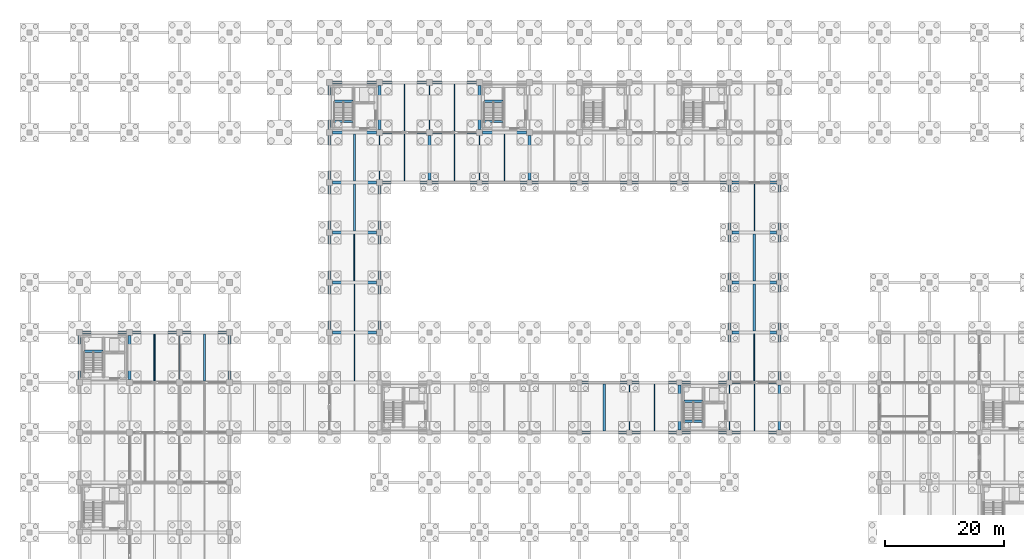
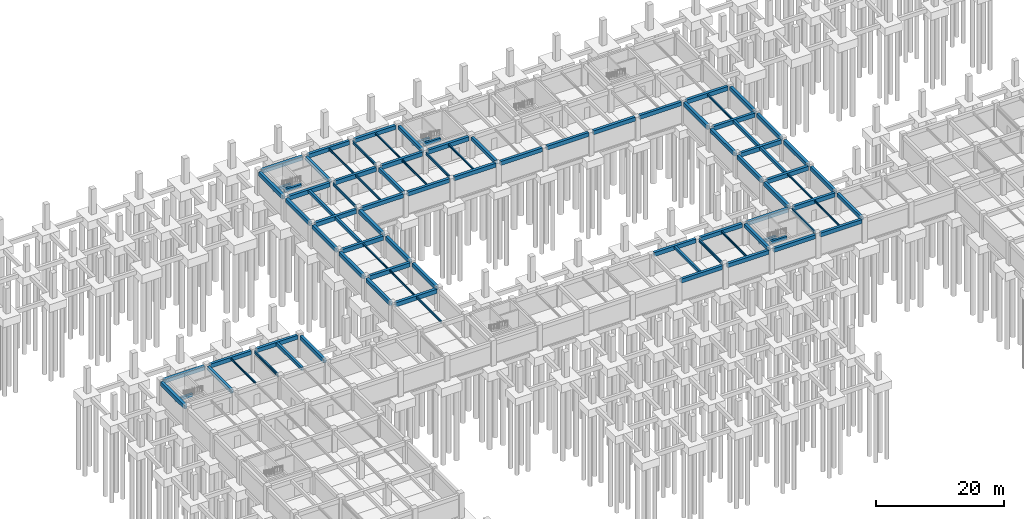
# One storey, part 14 of 29: 90 beams.
"""IFC4 building model written with IfcOpenShell, lengths in metres."""

import ifcopenshell
import ifcopenshell.guid

model = None  # the IFC model being written
_history = None  # IfcOwnerHistory: only IFC2X3 demands one
_inside = {}  # id of a spatial element -> (the spatial element, [elements in it])
_under = {}  # id of a project, library or spatial element -> (it, [spatial elements below it])
_declared = {}  # id of a project -> (the project, [libraries it declares])
_typed = {}  # id of a type object -> (the type object, [elements of that type])
_made_of = {}  # id of a material, layer set ... -> (it, [elements and type objects made of it])


def new_model(schema):
    """Start an empty IFC model of exactly this schema.

    Asked for "IFC4X3", IfcOpenShell would pick the latest addendum, in which some entities
    have other attributes; the version numbers below select the first issue.
    IFC2X3 requires an IfcOwnerHistory on every rooted entity: one is made here for all.
    """
    global model, _history
    if schema == "IFC4X3":
        model = ifcopenshell.file(schema_version=(4, 3, 0, 0))
    else:
        model = ifcopenshell.file(schema=schema)
    _inside.clear()
    _under.clear()
    _declared.clear()
    _typed.clear()
    _made_of.clear()
    _history = None
    if model.schema == "IFC2X3":
        org = make("IfcOrganization", Name="unknown")
        user = make(
            "IfcPersonAndOrganization",
            ThePerson=make("IfcPerson", FamilyName="unknown"),
            TheOrganization=org,
        )
        app = make(
            "IfcApplication",
            ApplicationDeveloper=org,
            Version="unknown",
            ApplicationFullName="unknown",
            ApplicationIdentifier="unknown",
        )
        _history = make(
            "IfcOwnerHistory",
            OwningUser=user,
            OwningApplication=app,
            ChangeAction="ADDED",
            CreationDate=0,
        )
    return model


def make(cls, **values):
    """One entity of the class cls with the attributes given. An attribute that is None is left unset."""
    return model.create_entity(
        cls, **{name: value for name, value in values.items() if value is not None}
    )


def rooted(cls, **values):
    """An entity with a GlobalId (a new one), such as an element, a storey or a relation."""
    return make(cls, GlobalId=ifcopenshell.guid.new(), OwnerHistory=_history, **values)


def si_unit(unit_type, name, prefix=None):
    """IfcSIUnit, for example si_unit("LENGTHUNIT", "METRE", prefix="MILLI")."""
    return make("IfcSIUnit", UnitType=unit_type, Prefix=prefix, Name=name)


def assignment(units):
    """IfcUnitAssignment: the units of a project."""
    return None if units is None else make("IfcUnitAssignment", Units=units)


def point(xyz):
    """IfcCartesianPoint."""
    return None if xyz is None else make("IfcCartesianPoint", Coordinates=xyz)


def direction(xyz):
    """IfcDirection."""
    return None if xyz is None else make("IfcDirection", DirectionRatios=xyz)


def frame(location, z_axis=None, x_axis=None):
    """IfcAxis2Placement3D, a coordinate frame: its origin and axes. An axis left out is left unset."""
    return make(
        "IfcAxis2Placement3D",
        Location=point(location),
        Axis=direction(z_axis),
        RefDirection=direction(x_axis),
    )


def frame_2d(location, x_axis=None):
    """IfcAxis2Placement2D, a coordinate frame in the plane: its origin and x axis."""
    return make(
        "IfcAxis2Placement2D", Location=point(location), RefDirection=direction(x_axis)
    )


def origin():
    """The frame at (0, 0, 0) with its axes left unset."""
    return frame((0.0, 0.0, 0.0))


def origin_2d():
    """The frame at (0, 0) in the plane with its x axis left unset."""
    return frame_2d((0.0, 0.0))


def place(relative_to, where):
    """IfcLocalPlacement: puts the frame where relative to a parent placement (None: the world)."""
    return make(
        "IfcLocalPlacement", PlacementRelTo=relative_to, RelativePlacement=where
    )


def context(
    kind, dimensions, precision=None, world=None, true_north=None, identifier=None
):
    """IfcGeometricRepresentationContext, for example the 3D "Model" context."""
    return make(
        "IfcGeometricRepresentationContext",
        ContextIdentifier=identifier,
        ContextType=kind,
        CoordinateSpaceDimension=dimensions,
        Precision=precision,
        WorldCoordinateSystem=world,
        TrueNorth=true_north,
    )


def subcontext(parent, identifier, kind, view, scale=None):
    """IfcGeometricRepresentationSubContext, for example "Body" below "Model"."""
    return make(
        "IfcGeometricRepresentationSubContext",
        ContextIdentifier=identifier,
        ContextType=kind,
        ParentContext=parent,
        TargetScale=scale,
        TargetView=view,
    )


def project(units=None, contexts=None):
    """IfcProject with its units and contexts."""
    return rooted(
        "IfcProject",
        Name="project",
        RepresentationContexts=contexts,
        UnitsInContext=assignment(units),
    )


def spatial(cls, under=None, at=None, **own):
    """A site, building, storey or space (cls), placed at a placement, below another one or the project."""
    s = rooted(cls, ObjectPlacement=at, **own)
    if under is not None:
        _under.setdefault(under.id(), (under, []))[1].append(s)
    return s


def profile(cls, at=None, kind="AREA", **sizes):
    """A parametric profile (cls). Its sizes go by their IFC names, for example OverallWidth=200.0."""
    return make(cls, ProfileType=kind, Position=at, **sizes)


def rectangle(**sizes):
    """IfcRectangleProfileDef."""
    return profile("IfcRectangleProfileDef", **sizes)


def i_section(**sizes):
    """IfcIShapeProfileDef."""
    return profile("IfcIShapeProfileDef", **sizes)


def extrude(swept, where, along, depth):
    """IfcExtrudedAreaSolid: the profile swept, set in the frame where, extruded along a direction by depth."""
    return make(
        "IfcExtrudedAreaSolid",
        SweptArea=swept,
        Position=where,
        ExtrudedDirection=direction(along),
        Depth=depth,
    )


def shape(context_of_items, identifier, shape_type, items):
    """IfcShapeRepresentation: the items that make up one representation, for example the "Body"."""
    return make(
        "IfcShapeRepresentation",
        ContextOfItems=context_of_items,
        RepresentationIdentifier=identifier,
        RepresentationType=shape_type,
        Items=items,
    )


def material(Name=None, Category=None):
    """IfcMaterial."""
    return make("IfcMaterial", Name=Name, Category=Category)


def material_profile(
    of_material, cross_section, Name=None, Category=None, Priority=None
):
    """IfcMaterialProfile: a cross section and its material."""
    return make(
        "IfcMaterialProfile",
        Name=Name,
        Material=of_material,
        Profile=cross_section,
        Priority=Priority,
        Category=Category,
    )


def profile_set(profiles, Name=None, composite=None):
    """IfcMaterialProfileSet."""
    return make(
        "IfcMaterialProfileSet",
        Name=Name,
        MaterialProfiles=profiles,
        CompositeProfile=composite,
    )


def made_of(thing, what):
    """Note that an element or type object is made of a material, layer set ...; save() writes the relation."""
    if what is not None:
        _made_of.setdefault(what.id(), (what, []))[1].append(thing)
    return thing


def type_object(cls, material=None, **own):
    """A type object (cls), such as IfcWallType, which elements share."""
    return made_of(rooted(cls, **own), material)


def element(
    cls,
    number,
    at=None,
    inside=None,
    cuts=None,
    type_object=None,
    material=None,
    context=None,
    identifier="Body",
    shape_type=None,
    held_by="IfcProductDefinitionShape",
    body=None,
    shapes=None,
    **own,
):
    """One element of the class cls, such as IfcWall. Its Tag is "e" and its number.

    at: its placement. inside: the storey or other place that contains it. cuts: it is an
    opening in that element (IfcRelVoidsElement). A single representation is given by context,
    identifier, shape_type and body (its items); several are given by shapes. held_by: the class
    of the entity that holds the representations. save() writes the other relations.
    """
    e = rooted(cls, Tag="e%d" % number, ObjectPlacement=at, **own)
    if body is not None:
        shapes = [shape(context, identifier, shape_type, body)]
    if shapes is not None:
        e.Representation = make(held_by, Representations=shapes)
    if inside is not None:
        _inside.setdefault(inside.id(), (inside, []))[1].append(e)
    if cuts is not None:
        rooted(
            "IfcRelVoidsElement", RelatingBuildingElement=cuts, RelatedOpeningElement=e
        )
    if type_object is not None:
        _typed.setdefault(type_object.id(), (type_object, []))[1].append(e)
    return made_of(e, material)


def aggregate(whole, parts):
    """IfcRelAggregates: a whole, such as a stair, and the parts it consists of."""
    return rooted("IfcRelAggregates", RelatingObject=whole, RelatedObjects=parts)


def save(model, path):
    """Write the relations noted so far, then the file.

    IfcRelAggregates (storeys below a building ...), IfcRelContainedInSpatialStructure (elements
    in a storey), IfcRelDefinesByType, IfcRelAssociatesMaterial and IfcRelDeclares: one each for
    every whole, place, type object, material and project.
    """
    for whole, parts in _under.values():
        aggregate(whole, parts)
    for where, things in _inside.values():
        rooted(
            "IfcRelContainedInSpatialStructure",
            RelatedElements=things,
            RelatingStructure=where,
        )
    for kind, things in _typed.values():
        rooted("IfcRelDefinesByType", RelatedObjects=things, RelatingType=kind)
    for what, things in _made_of.values():
        rooted("IfcRelAssociatesMaterial", RelatedObjects=things, RelatingMaterial=what)
    for by, libraries in _declared.values():
        rooted("IfcRelDeclares", RelatingContext=by, RelatedDefinitions=libraries)
    model.write(path)


model = new_model("IFC4")

# Units and contexts
model_context = context("Model", 3, precision=1e-05, world=origin(), true_north=direction((0.0, 1.0)))
body_context = subcontext(model_context, "Body", "Model", "MODEL_VIEW")
ifc_project = project(units=[si_unit("LENGTHUNIT", "METRE"), si_unit("AREAUNIT", "SQUARE_METRE"), si_unit("VOLUMEUNIT", "CUBIC_METRE"), si_unit("PLANEANGLEUNIT", "RADIAN"), si_unit("MASSUNIT", "GRAM", prefix="KILO")], contexts=[model_context])

# Site, building, storey
site_placement = place(None, origin())
site = spatial("IfcSite", under=ifc_project, at=site_placement, CompositionType="ELEMENT")
building_placement = place(site_placement, origin())
building = spatial("IfcBuilding", under=site, at=building_placement, Name="Porcellanite Civic Hall", CompositionType="ELEMENT")
storey_placement = place(building_placement, frame((0.0, 0.0, -4.5)))
storey = spatial("IfcBuildingStorey", under=building, at=storey_placement, Name="B1", CompositionType="ELEMENT", Elevation=-4.5)

# Beams
ifc_material_1 = material(Name="Concrete N50 (50 MPa)", Category="concrete")
ifc_material_profile_1 = material_profile(ifc_material_1, rectangle(XDim=0.39990234375, YDim=0.550048828125, at=origin_2d()), Name="RC-400x550")
ifc_profile_set_1 = profile_set([ifc_material_profile_1], Name="Concrete N50 (50 MPa)")
beam_type_1 = type_object("IfcBeamType", Name="BM-RC550", PredefinedType="JOIST", material=ifc_profile_set_1)
for number, where, z_axis, x_axis, name in (
    (1, (54.60009765625, 92.6494140625, 3.875), (0.0, 1.0, 0.0), (-1.0, 0.0, 0.0), "Secondary joist B1 7-12"),
    (2, (96.60009765625, 50.6494140625, 3.875), (0.0, 1.0, 0.0), (-1.0, 0.0, 0.0), "Secondary joist B1 12-7"),
):
    element("IfcBeam", number, at=place(storey_placement, frame(where, z_axis=z_axis, x_axis=x_axis)), inside=storey, type_object=beam_type_1, Name=name, PredefinedType="JOIST", context=body_context, shape_type="SweptSolid", body=[
        extrude(rectangle(XDim=0.39990234375, YDim=0.550048828125, at=origin_2d()), origin(), (0.0, 0.0, 1.0), 7.901123046875),
    ])
beam_1_placement = place(storey_placement, frame((121.800048828125, 75.849609375, 3.875), z_axis=(0.0, 1.0, 0.0), x_axis=(-1.0, 0.0, 0.0)))
element("IfcBeam", 3, at=beam_1_placement, inside=storey, type_object=beam_type_1, Name="Secondary joist B1 15-10", PredefinedType="JOIST", context=body_context, shape_type="SweptSolid", body=[
    extrude(rectangle(XDim=0.39990234375, YDim=0.550048828125, at=origin_2d()), origin(), (0.0, 0.0, 1.0), 7.90087890625),
])
for number, where, z_axis, x_axis, name in (
    (4, (9.21044921875, 64.02490234375, 1.885009765625), (1.0, 0.0, 0.0), (0.0, 1.0, 0.0), "Stair landing beam C2 B1"),
    (5, (51.21044921875, 106.02490234375, 1.885009765625), (1.0, 0.0, 0.0), (0.0, 1.0, 0.0), "Stair landing beam C3 B1"),
    (6, (51.21044921875, 102.64990234375, 3.875), (1.0, 0.0, 0.0), (0.0, 1.0, 0.0), "Stair header beam C3 B1"),
):
    element("IfcBeam", number, at=place(storey_placement, frame(where, z_axis=z_axis, x_axis=x_axis)), inside=storey, type_object=beam_type_1, Name=name, PredefinedType="JOIST", context=body_context, shape_type="SweptSolid", body=[
        extrude(rectangle(XDim=0.39990234375, YDim=0.550048828125, at=origin_2d()), origin(), (0.0, 0.0, 1.0), 3.109130859375),
    ])
for number, where, z_axis, x_axis, name in (
    (7, (110.010498046875, 55.625, 1.885009765625), (1.0, 0.0, 0.0), (0.0, 1.0, 0.0), "Stair landing beam C6 B1"),
    (8, (110.010498046875, 52.25, 3.875), (1.0, 0.0, 0.0), (0.0, 1.0, 0.0), "Stair header beam C6 B1"),
):
    element("IfcBeam", number, at=place(storey_placement, frame(where, z_axis=z_axis, x_axis=x_axis)), inside=storey, type_object=beam_type_1, Name=name, PredefinedType="JOIST", context=body_context, shape_type="SweptSolid", body=[
        extrude(rectangle(XDim=0.39990234375, YDim=0.550048828125, at=origin_2d()), origin(), (0.0, 0.0, 1.0), 3.10888671875),
    ])
for number, where, z_axis, x_axis, name in (
    (9, (76.410400390625, 106.02490234375, 1.885009765625), (1.0, 0.0, 0.0), (0.0, 1.0, 0.0), "Stair landing beam S9 B1"),
    (10, (76.410400390625, 102.64990234375, 3.875), (1.0, 0.0, 0.0), (0.0, 1.0, 0.0), "Stair header beam S9 B1"),
):
    element("IfcBeam", number, at=place(storey_placement, frame(where, z_axis=z_axis, x_axis=x_axis)), inside=storey, type_object=beam_type_1, Name=name, PredefinedType="JOIST", context=body_context, shape_type="SweptSolid", body=[
        extrude(rectangle(XDim=0.39990234375, YDim=0.550048828125, at=origin_2d()), origin(), (0.0, 0.0, 1.0), 3.109130859375),
    ])
ifc_material_2 = material(Name="Concrete N50 (50 MPa)", Category="concrete")
ifc_material_profile_2 = material_profile(ifc_material_2, rectangle(XDim=0.39990234375, YDim=0.60009765625, at=origin_2d()), Name="RC-400x600")
ifc_profile_set_2 = profile_set([ifc_material_profile_2], Name="Concrete N50 (50 MPa)")
beam_type_2 = type_object("IfcBeamType", Name="BM-RC600", PredefinedType="JOIST", material=ifc_profile_set_2)
for number, where, z_axis, x_axis, name in (
    (11, (29.39990234375, 59.049560546875, 3.85009765625), (0.0, 1.0, 0.0), (-1.0, 0.0, 0.0), "Secondary joist B1 4-8"),
    (12, (54.60009765625, 84.24951171875, 3.85009765625), (0.0, 1.0, 0.0), (-1.0, 0.0, 0.0), "Secondary joist B1 7-11"),
):
    element("IfcBeam", number, at=place(storey_placement, frame(where, z_axis=z_axis, x_axis=x_axis)), inside=storey, type_object=beam_type_2, Name=name, PredefinedType="JOIST", context=body_context, shape_type="SweptSolid", body=[
        extrude(rectangle(XDim=0.39990234375, YDim=0.60009765625, at=origin_2d()), origin(), (0.0, 0.0, 1.0), 7.90087890625),
    ])
beam_2_placement = place(storey_placement, frame((121.800048828125, 67.449462890625, 3.85009765625), z_axis=(0.0, 1.0, 0.0), x_axis=(-1.0, 0.0, 0.0)))
element("IfcBeam", 13, at=beam_2_placement, inside=storey, type_object=beam_type_2, Name="Secondary joist B1 15-9", PredefinedType="JOIST", context=body_context, shape_type="SweptSolid", body=[
    extrude(rectangle(XDim=0.39990234375, YDim=0.60009765625, at=origin_2d()), origin(), (0.0, 0.0, 1.0), 7.901123046875),
])
ifc_material_3 = material(Name="Concrete N50 (50 MPa)", Category="concrete")
ifc_material_profile_3 = material_profile(ifc_material_3, rectangle(XDim=0.449951171875, YDim=0.699951171875, at=origin_2d()), Name="RC-450x700")
ifc_profile_set_3 = profile_set([ifc_material_profile_3], Name="Concrete N50 (50 MPa)")
beam_type_3 = type_object("IfcBeamType", Name="BM-RC700", PredefinedType="BEAM", material=ifc_profile_set_3)
for number, where, z_axis, x_axis, name in (
    (14, (16.800048828125, 59.2744140625, 3.800048828125), (0.0, 1.0, 0.0), (-1.0, 0.0, 0.0), "Beam Y B1 3-8"),
    (15, (58.800048828125, 101.2744140625, 3.800048828125), (0.0, 1.0, 0.0), (-1.0, 0.0, 0.0), "Beam Y B1 8-13"),
):
    element("IfcBeam", number, at=place(storey_placement, frame(where, z_axis=z_axis, x_axis=x_axis)), inside=storey, type_object=beam_type_3, Name=name, PredefinedType="BEAM", context=body_context, shape_type="SweptSolid", body=[
        extrude(rectangle(XDim=0.449951171875, YDim=0.699951171875, at=origin_2d()), origin(), (0.0, 0.0, 1.0), 7.451171875),
    ])
beam_3_placement = place(storey_placement, frame((67.199951171875, 92.824462890625, 3.800048828125), z_axis=(0.0, 1.0, 0.0), x_axis=(-1.0, 0.0, 0.0)))
element("IfcBeam", 16, at=beam_3_placement, inside=storey, type_object=beam_type_3, Name="Beam Y B1 9-12", PredefinedType="BEAM", context=body_context, shape_type="SweptSolid", body=[
    extrude(rectangle(XDim=0.449951171875, YDim=0.699951171875, at=origin_2d()), origin(), (0.0, 0.0, 1.0), 7.5009765625),
])
beam_4_placement = place(storey_placement, frame((75.60009765625, 101.2744140625, 3.800048828125), z_axis=(0.0, 1.0, 0.0), x_axis=(-1.0, 0.0, 0.0)))
element("IfcBeam", 17, at=beam_4_placement, inside=storey, type_object=beam_type_3, Name="Beam Y B1 10-13", PredefinedType="BEAM", context=body_context, shape_type="SweptSolid", body=[
    extrude(rectangle(XDim=0.449951171875, YDim=0.699951171875, at=origin_2d()), origin(), (0.0, 0.0, 1.0), 7.451171875),
])
for number, where, z_axis, x_axis, name in (
    (18, (84.0, 92.824462890625, 3.800048828125), (0.0, 1.0, 0.0), (-1.0, 0.0, 0.0), "Beam Y B1 11-12"),
    (19, (109.199951171875, 50.849609375, 3.800048828125), (0.0, 1.0, 0.0), (-1.0, 0.0, 0.0), "Beam Y B1 14-7"),
    (20, (126.0, 50.849609375, 3.800048828125), (0.0, 1.0, 0.0), (-1.0, 0.0, 0.0), "Beam Y B1 16-7"),
):
    element("IfcBeam", number, at=place(storey_placement, frame(where, z_axis=z_axis, x_axis=x_axis)), inside=storey, type_object=beam_type_3, Name=name, PredefinedType="BEAM", context=body_context, shape_type="SweptSolid", body=[
        extrude(rectangle(XDim=0.449951171875, YDim=0.699951171875, at=origin_2d()), origin(), (0.0, 0.0, 1.0), 7.5009765625),
    ])
ifc_material_4 = material(Name="Concrete N50 (50 MPa)", Category="concrete")
ifc_material_profile_4 = material_profile(ifc_material_4, rectangle(XDim=0.5, YDim=0.75, at=origin_2d()), Name="RC-500x750")
ifc_profile_set_4 = profile_set([ifc_material_profile_4], Name="Concrete N50 (50 MPa)")
beam_type_4 = type_object("IfcBeamType", Name="BM-RC750", PredefinedType="SPANDREL", material=ifc_profile_set_4)
beam_5_placement = place(storey_placement, frame((8.87451171875, 67.199951171875, 3.77490234375), z_axis=(1.0, 0.0, 0.0), x_axis=(0.0, 1.0, 0.0)))
element("IfcBeam", 21, at=beam_5_placement, inside=storey, type_object=beam_type_4, Name="Beam X B1 2-9", PredefinedType="SPANDREL", context=body_context, shape_type="SweptSolid", body=[
    extrude(rectangle(XDim=0.5, YDim=0.75, at=origin_2d()), origin(), (0.0, 0.0, 1.0), 7.450927734375),
])
beam_6_placement = place(storey_placement, frame((17.2744140625, 67.199951171875, 3.77490234375), z_axis=(1.0, 0.0, 0.0), x_axis=(0.0, 1.0, 0.0)))
element("IfcBeam", 22, at=beam_6_placement, inside=storey, type_object=beam_type_4, Name="Beam X B1 3-9", PredefinedType="SPANDREL", context=body_context, shape_type="SweptSolid", body=[
    extrude(rectangle(XDim=0.5, YDim=0.75, at=origin_2d()), origin(), (0.0, 0.0, 1.0), 7.451171875),
])
for number, where, z_axis, x_axis, name in (
    (23, (25.674560546875, 67.199951171875, 3.77490234375), (1.0, 0.0, 0.0), (0.0, 1.0, 0.0), "Beam X B1 4-9"),
    (24, (50.87451171875, 109.199951171875, 3.77490234375), (1.0, 0.0, 0.0), (0.0, 1.0, 0.0), "Beam X B1 7-14"),
):
    element("IfcBeam", number, at=place(storey_placement, frame(where, z_axis=z_axis, x_axis=x_axis)), inside=storey, type_object=beam_type_4, Name=name, PredefinedType="SPANDREL", context=body_context, shape_type="SweptSolid", body=[
        extrude(rectangle(XDim=0.5, YDim=0.75, at=origin_2d()), origin(), (0.0, 0.0, 1.0), 7.450927734375),
    ])
beam_7_placement = place(storey_placement, frame((59.2744140625, 92.39990234375, 3.77490234375), z_axis=(1.0, 0.0, 0.0), x_axis=(0.0, 1.0, 0.0)))
element("IfcBeam", 25, at=beam_7_placement, inside=storey, type_object=beam_type_4, Name="Beam X B1 8-12", PredefinedType="SPANDREL", context=body_context, shape_type="SweptSolid", body=[
    extrude(rectangle(XDim=0.5, YDim=0.75, at=origin_2d()), origin(), (0.0, 0.0, 1.0), 7.5009765625),
])
beam_8_placement = place(storey_placement, frame((59.2744140625, 109.199951171875, 3.77490234375), z_axis=(1.0, 0.0, 0.0), x_axis=(0.0, 1.0, 0.0)))
element("IfcBeam", 26, at=beam_8_placement, inside=storey, type_object=beam_type_4, Name="Beam X B1 8-14", PredefinedType="SPANDREL", context=body_context, shape_type="SweptSolid", body=[
    extrude(rectangle(XDim=0.5, YDim=0.75, at=origin_2d()), origin(), (0.0, 0.0, 1.0), 7.451171875),
])
beam_9_placement = place(storey_placement, frame((67.62451171875, 92.39990234375, 3.77490234375), z_axis=(1.0, 0.0, 0.0), x_axis=(0.0, 1.0, 0.0)))
element("IfcBeam", 27, at=beam_9_placement, inside=storey, type_object=beam_type_4, Name="Beam X B1 9-12", PredefinedType="SPANDREL", context=body_context, shape_type="SweptSolid", body=[
    extrude(rectangle(XDim=0.5, YDim=0.75, at=origin_2d()), origin(), (0.0, 0.0, 1.0), 7.551025390625),
])
beam_10_placement = place(storey_placement, frame((67.674560546875, 109.199951171875, 3.77490234375), z_axis=(1.0, 0.0, 0.0), x_axis=(0.0, 1.0, 0.0)))
element("IfcBeam", 28, at=beam_10_placement, inside=storey, type_object=beam_type_4, Name="Beam X B1 9-14", PredefinedType="SPANDREL", context=body_context, shape_type="SweptSolid", body=[
    extrude(rectangle(XDim=0.5, YDim=0.75, at=origin_2d()), origin(), (0.0, 0.0, 1.0), 7.450927734375),
])
for number, where, z_axis, x_axis, name in (
    (29, (76.0244140625, 92.39990234375, 3.77490234375), (1.0, 0.0, 0.0), (0.0, 1.0, 0.0), "Beam X B1 10-12"),
    (30, (84.424560546875, 92.39990234375, 3.77490234375), (1.0, 0.0, 0.0), (0.0, 1.0, 0.0), "Beam X B1 11-12"),
):
    element("IfcBeam", number, at=place(storey_placement, frame(where, z_axis=z_axis, x_axis=x_axis)), inside=storey, type_object=beam_type_4, Name=name, PredefinedType="SPANDREL", context=body_context, shape_type="SweptSolid", body=[
        extrude(rectangle(XDim=0.5, YDim=0.75, at=origin_2d()), origin(), (0.0, 0.0, 1.0), 7.551025390625),
    ])
beam_11_placement = place(storey_placement, frame((92.849609375, 50.39990234375, 3.77490234375), z_axis=(1.0, 0.0, 0.0), x_axis=(0.0, 1.0, 0.0)))
element("IfcBeam", 31, at=beam_11_placement, inside=storey, type_object=beam_type_4, Name="Beam X B1 12-7", PredefinedType="SPANDREL", context=body_context, shape_type="SweptSolid", body=[
    extrude(rectangle(XDim=0.5, YDim=0.75, at=origin_2d()), origin(), (0.0, 0.0, 1.0), 7.5009765625),
])
for number, where, z_axis, x_axis, name in (
    (32, (92.824462890625, 58.800048828125, 3.77490234375), (1.0, 0.0, 0.0), (0.0, 1.0, 0.0), "Beam X B1 12-8"),
    (33, (92.824462890625, 92.39990234375, 3.77490234375), (1.0, 0.0, 0.0), (0.0, 1.0, 0.0), "Beam X B1 12-12"),
):
    element("IfcBeam", number, at=place(storey_placement, frame(where, z_axis=z_axis, x_axis=x_axis)), inside=storey, type_object=beam_type_4, Name=name, PredefinedType="SPANDREL", context=body_context, shape_type="SweptSolid", body=[
        extrude(rectangle(XDim=0.5, YDim=0.75, at=origin_2d()), origin(), (0.0, 0.0, 1.0), 7.551025390625),
    ])
beam_12_placement = place(storey_placement, frame((101.24951171875, 50.39990234375, 3.77490234375), z_axis=(1.0, 0.0, 0.0), x_axis=(0.0, 1.0, 0.0)))
element("IfcBeam", 34, at=beam_12_placement, inside=storey, type_object=beam_type_4, Name="Beam X B1 13-7", PredefinedType="SPANDREL", context=body_context, shape_type="SweptSolid", body=[
    extrude(rectangle(XDim=0.5, YDim=0.75, at=origin_2d()), origin(), (0.0, 0.0, 1.0), 7.5009765625),
])
beam_13_placement = place(storey_placement, frame((101.224609375, 58.800048828125, 3.77490234375), z_axis=(1.0, 0.0, 0.0), x_axis=(0.0, 1.0, 0.0)))
element("IfcBeam", 35, at=beam_13_placement, inside=storey, type_object=beam_type_4, Name="Beam X B1 13-8", PredefinedType="SPANDREL", context=body_context, shape_type="SweptSolid", body=[
    extrude(rectangle(XDim=0.5, YDim=0.75, at=origin_2d()), origin(), (0.0, 0.0, 1.0), 7.52587890625),
])
beam_14_placement = place(storey_placement, frame((101.224609375, 92.39990234375, 3.77490234375), z_axis=(1.0, 0.0, 0.0), x_axis=(0.0, 1.0, 0.0)))
element("IfcBeam", 36, at=beam_14_placement, inside=storey, type_object=beam_type_4, Name="Beam X B1 13-12", PredefinedType="SPANDREL", context=body_context, shape_type="SweptSolid", body=[
    extrude(rectangle(XDim=0.5, YDim=0.75, at=origin_2d()), origin(), (0.0, 0.0, 1.0), 7.55078125),
])
for number, where, z_axis, x_axis, name in (
    (37, (109.6494140625, 50.39990234375, 3.77490234375), (1.0, 0.0, 0.0), (0.0, 1.0, 0.0), "Beam X B1 14-7"),
    (38, (109.6494140625, 58.800048828125, 3.77490234375), (1.0, 0.0, 0.0), (0.0, 1.0, 0.0), "Beam X B1 14-8"),
):
    element("IfcBeam", number, at=place(storey_placement, frame(where, z_axis=z_axis, x_axis=x_axis)), inside=storey, type_object=beam_type_4, Name=name, PredefinedType="SPANDREL", context=body_context, shape_type="SweptSolid", body=[
        extrude(rectangle(XDim=0.5, YDim=0.75, at=origin_2d()), origin(), (0.0, 0.0, 1.0), 7.5009765625),
    ])
beam_15_placement = place(storey_placement, frame((109.62451171875, 92.39990234375, 3.77490234375), z_axis=(1.0, 0.0, 0.0), x_axis=(0.0, 1.0, 0.0)))
element("IfcBeam", 39, at=beam_15_placement, inside=storey, type_object=beam_type_4, Name="Beam X B1 14-12", PredefinedType="SPANDREL", context=body_context, shape_type="SweptSolid", body=[
    extrude(rectangle(XDim=0.5, YDim=0.75, at=origin_2d()), origin(), (0.0, 0.0, 1.0), 7.52587890625),
])
beam_16_placement = place(storey_placement, frame((118.049560546875, 50.39990234375, 3.77490234375), z_axis=(1.0, 0.0, 0.0), x_axis=(0.0, 1.0, 0.0)))
element("IfcBeam", 40, at=beam_16_placement, inside=storey, type_object=beam_type_4, Name="Beam X B1 15-7", PredefinedType="SPANDREL", context=body_context, shape_type="SweptSolid", body=[
    extrude(rectangle(XDim=0.5, YDim=0.75, at=origin_2d()), origin(), (0.0, 0.0, 1.0), 7.5009765625),
])
for number, where, z_axis, x_axis, name in (
    (41, (8.39990234375, 59.2744140625, 3.77490234375), (0.0, 1.0, 0.0), (-1.0, 0.0, 0.0), "Beam Y B1 2-8"),
    (42, (33.60009765625, 59.2744140625, 3.77490234375), (0.0, 1.0, 0.0), (-1.0, 0.0, 0.0), "Beam Y B1 5-8"),
):
    element("IfcBeam", number, at=place(storey_placement, frame(where, z_axis=z_axis, x_axis=x_axis)), inside=storey, type_object=beam_type_4, Name=name, PredefinedType="SPANDREL", context=body_context, shape_type="SweptSolid", body=[
        extrude(rectangle(XDim=0.5, YDim=0.75, at=origin_2d()), origin(), (0.0, 0.0, 1.0), 7.451171875),
    ])
for number, where, z_axis, x_axis, name in (
    (43, (50.39990234375, 67.674560546875, 3.77490234375), (0.0, 1.0, 0.0), (-1.0, 0.0, 0.0), "Beam Y B1 7-9"),
    (44, (50.39990234375, 76.074462890625, 3.77490234375), (0.0, 1.0, 0.0), (-1.0, 0.0, 0.0), "Beam Y B1 7-10"),
    (45, (50.39990234375, 84.474609375, 3.77490234375), (0.0, 1.0, 0.0), (-1.0, 0.0, 0.0), "Beam Y B1 7-11"),
    (46, (50.39990234375, 92.87451171875, 3.77490234375), (0.0, 1.0, 0.0), (-1.0, 0.0, 0.0), "Beam Y B1 7-12"),
):
    element("IfcBeam", number, at=place(storey_placement, frame(where, z_axis=z_axis, x_axis=x_axis)), inside=storey, type_object=beam_type_4, Name=name, PredefinedType="SPANDREL", context=body_context, shape_type="SweptSolid", body=[
        extrude(rectangle(XDim=0.5, YDim=0.75, at=origin_2d()), origin(), (0.0, 0.0, 1.0), 7.450927734375),
    ])
beam_17_placement = place(storey_placement, frame((50.39990234375, 101.2744140625, 3.77490234375), z_axis=(0.0, 1.0, 0.0), x_axis=(-1.0, 0.0, 0.0)))
element("IfcBeam", 47, at=beam_17_placement, inside=storey, type_object=beam_type_4, Name="Beam Y B1 7-13", PredefinedType="SPANDREL", context=body_context, shape_type="SweptSolid", body=[
    extrude(rectangle(XDim=0.5, YDim=0.75, at=origin_2d()), origin(), (0.0, 0.0, 1.0), 7.451171875),
])
for number, where, z_axis, x_axis, name in (
    (48, (58.800048828125, 67.674560546875, 3.77490234375), (0.0, 1.0, 0.0), (-1.0, 0.0, 0.0), "Beam Y B1 8-9"),
    (49, (58.800048828125, 76.074462890625, 3.77490234375), (0.0, 1.0, 0.0), (-1.0, 0.0, 0.0), "Beam Y B1 8-10"),
    (50, (58.800048828125, 84.474609375, 3.77490234375), (0.0, 1.0, 0.0), (-1.0, 0.0, 0.0), "Beam Y B1 8-11"),
):
    element("IfcBeam", number, at=place(storey_placement, frame(where, z_axis=z_axis, x_axis=x_axis)), inside=storey, type_object=beam_type_4, Name=name, PredefinedType="SPANDREL", context=body_context, shape_type="SweptSolid", body=[
        extrude(rectangle(XDim=0.5, YDim=0.75, at=origin_2d()), origin(), (0.0, 0.0, 1.0), 7.450927734375),
    ])
for number, where, z_axis, x_axis, name in (
    (51, (117.60009765625, 59.24951171875, 3.77490234375), (0.0, 1.0, 0.0), (-1.0, 0.0, 0.0), "Beam Y B1 15-8"),
    (52, (117.60009765625, 67.6494140625, 3.77490234375), (0.0, 1.0, 0.0), (-1.0, 0.0, 0.0), "Beam Y B1 15-9"),
    (53, (117.60009765625, 76.049560546875, 3.77490234375), (0.0, 1.0, 0.0), (-1.0, 0.0, 0.0), "Beam Y B1 15-10"),
    (54, (117.60009765625, 84.449462890625, 3.77490234375), (0.0, 1.0, 0.0), (-1.0, 0.0, 0.0), "Beam Y B1 15-11"),
    (55, (126.0, 59.24951171875, 3.77490234375), (0.0, 1.0, 0.0), (-1.0, 0.0, 0.0), "Beam Y B1 16-8"),
    (56, (126.0, 67.6494140625, 3.77490234375), (0.0, 1.0, 0.0), (-1.0, 0.0, 0.0), "Beam Y B1 16-9"),
    (57, (126.0, 76.049560546875, 3.77490234375), (0.0, 1.0, 0.0), (-1.0, 0.0, 0.0), "Beam Y B1 16-10"),
    (58, (126.0, 84.449462890625, 3.77490234375), (0.0, 1.0, 0.0), (-1.0, 0.0, 0.0), "Beam Y B1 16-11"),
):
    element("IfcBeam", number, at=place(storey_placement, frame(where, z_axis=z_axis, x_axis=x_axis)), inside=storey, type_object=beam_type_4, Name=name, PredefinedType="SPANDREL", context=body_context, shape_type="SweptSolid", body=[
        extrude(rectangle(XDim=0.5, YDim=0.75, at=origin_2d()), origin(), (0.0, 0.0, 1.0), 7.5009765625),
    ])
ifc_material_5 = material(Name="Concrete N50 (50 MPa)", Category="concrete")
ifc_material_profile_5 = material_profile(ifc_material_5, rectangle(XDim=0.5, YDim=0.800048828125, at=origin_2d()), Name="RC-500x800")
ifc_profile_set_5 = profile_set([ifc_material_profile_5], Name="Concrete N50 (50 MPa)")
beam_type_5 = type_object("IfcBeamType", Name="BM-RC800", PredefinedType="BEAM", material=ifc_profile_set_5)
for number, where, z_axis, x_axis, name in (
    (59, (50.87451171875, 67.199951171875, 3.75), (1.0, 0.0, 0.0), (0.0, 1.0, 0.0), "Beam X B1 7-9"),
    (60, (50.87451171875, 75.60009765625, 3.75), (1.0, 0.0, 0.0), (0.0, 1.0, 0.0), "Beam X B1 7-10"),
    (61, (50.87451171875, 84.0, 3.75), (1.0, 0.0, 0.0), (0.0, 1.0, 0.0), "Beam X B1 7-11"),
    (62, (50.87451171875, 92.39990234375, 3.75), (1.0, 0.0, 0.0), (0.0, 1.0, 0.0), "Beam X B1 7-12"),
    (63, (50.87451171875, 100.800048828125, 3.75), (1.0, 0.0, 0.0), (0.0, 1.0, 0.0), "Beam X B1 7-13"),
):
    element("IfcBeam", number, at=place(storey_placement, frame(where, z_axis=z_axis, x_axis=x_axis)), inside=storey, type_object=beam_type_5, Name=name, PredefinedType="BEAM", context=body_context, shape_type="SweptSolid", body=[
        extrude(rectangle(XDim=0.5, YDim=0.800048828125, at=origin_2d()), origin(), (0.0, 0.0, 1.0), 7.450927734375),
    ])
beam_18_placement = place(storey_placement, frame((59.2744140625, 100.800048828125, 3.75), z_axis=(1.0, 0.0, 0.0), x_axis=(0.0, 1.0, 0.0)))
element("IfcBeam", 64, at=beam_18_placement, inside=storey, type_object=beam_type_5, Name="Beam X B1 8-13", PredefinedType="BEAM", context=body_context, shape_type="SweptSolid", body=[
    extrude(rectangle(XDim=0.5, YDim=0.800048828125, at=origin_2d()), origin(), (0.0, 0.0, 1.0), 7.451171875),
])
for number, where, z_axis, x_axis, name in (
    (65, (67.674560546875, 100.800048828125, 3.75), (1.0, 0.0, 0.0), (0.0, 1.0, 0.0), "Beam X B1 9-13"),
    (66, (76.074462890625, 100.800048828125, 3.75), (1.0, 0.0, 0.0), (0.0, 1.0, 0.0), "Beam X B1 10-13"),
):
    element("IfcBeam", number, at=place(storey_placement, frame(where, z_axis=z_axis, x_axis=x_axis)), inside=storey, type_object=beam_type_5, Name=name, PredefinedType="BEAM", context=body_context, shape_type="SweptSolid", body=[
        extrude(rectangle(XDim=0.5, YDim=0.800048828125, at=origin_2d()), origin(), (0.0, 0.0, 1.0), 7.450927734375),
    ])
for number, where, z_axis, x_axis, name in (
    (67, (118.049560546875, 58.800048828125, 3.75), (1.0, 0.0, 0.0), (0.0, 1.0, 0.0), "Beam X B1 15-8"),
    (68, (118.049560546875, 67.199951171875, 3.75), (1.0, 0.0, 0.0), (0.0, 1.0, 0.0), "Beam X B1 15-9"),
    (69, (118.049560546875, 75.60009765625, 3.75), (1.0, 0.0, 0.0), (0.0, 1.0, 0.0), "Beam X B1 15-10"),
    (70, (118.049560546875, 84.0, 3.75), (1.0, 0.0, 0.0), (0.0, 1.0, 0.0), "Beam X B1 15-11"),
    (71, (118.049560546875, 92.39990234375, 3.75), (1.0, 0.0, 0.0), (0.0, 1.0, 0.0), "Beam X B1 15-12"),
):
    element("IfcBeam", number, at=place(storey_placement, frame(where, z_axis=z_axis, x_axis=x_axis)), inside=storey, type_object=beam_type_5, Name=name, PredefinedType="BEAM", context=body_context, shape_type="SweptSolid", body=[
        extrude(rectangle(XDim=0.5, YDim=0.800048828125, at=origin_2d()), origin(), (0.0, 0.0, 1.0), 7.5009765625),
    ])
ifc_material_6 = material(Name="Steel Grade 350", Category="steel")
ifc_material_profile_6 = material_profile(ifc_material_6, i_section(OverallWidth=0.1708984375, OverallDepth=0.35595703125, WebThickness=0.00732421875, FlangeThickness=0.011474609375, FilletRadius=0.011474609375, at=origin_2d()), Name="360UB50.7")
ifc_profile_set_6 = profile_set([ifc_material_profile_6], Name="Steel Grade 350")
beam_type_6 = type_object("IfcBeamType", Name="JST-360UB51", PredefinedType="JOIST", material=ifc_profile_set_6)
for number, where, z_axis, x_axis, name in (
    (72, (21.0, 59.049560546875, 3.971923828125), (0.0, 1.0, 0.0), (-1.0, 0.0, 0.0), "Secondary joist B1 3-8"),
    (73, (54.60009765625, 75.849609375, 3.971923828125), (0.0, 1.0, 0.0), (-1.0, 0.0, 0.0), "Secondary joist B1 7-10"),
    (74, (121.800048828125, 59.049560546875, 3.971923828125), (0.0, 1.0, 0.0), (-1.0, 0.0, 0.0), "Secondary joist B1 15-8"),
):
    element("IfcBeam", number, at=place(storey_placement, frame(where, z_axis=z_axis, x_axis=x_axis)), inside=storey, type_object=beam_type_6, Name=name, PredefinedType="JOIST", context=body_context, shape_type="SweptSolid", body=[
        extrude(i_section(OverallWidth=0.1708984375, OverallDepth=0.35595703125, WebThickness=0.00732421875, FlangeThickness=0.011474609375, FilletRadius=0.011474609375, at=origin_2d()), origin(), (0.0, 0.0, 1.0), 7.90087890625),
    ])
ifc_material_7 = material(Name="Steel Grade 350", Category="steel")
ifc_material_profile_7 = material_profile(ifc_material_7, i_section(OverallWidth=0.172119140625, OverallDepth=0.35888671875, WebThickness=0.008056640625, FlangeThickness=0.012939453125, FilletRadius=0.011474609375, at=origin_2d()), Name="360UB56.7")
ifc_profile_set_7 = profile_set([ifc_material_profile_7], Name="Steel Grade 350")
beam_type_7 = type_object("IfcBeamType", Name="JST-360UB57", PredefinedType="JOIST", material=ifc_profile_set_7)
beam_19_placement = place(storey_placement, frame((54.60009765625, 67.449462890625, 3.970458984375), z_axis=(0.0, 1.0, 0.0), x_axis=(-1.0, 0.0, 0.0)))
element("IfcBeam", 75, at=beam_19_placement, inside=storey, type_object=beam_type_7, Name="Secondary joist B1 7-9", PredefinedType="JOIST", context=body_context, shape_type="SweptSolid", body=[
    extrude(i_section(OverallWidth=0.172119140625, OverallDepth=0.35888671875, WebThickness=0.008056640625, FlangeThickness=0.012939453125, FilletRadius=0.011474609375, at=origin_2d()), origin(), (0.0, 0.0, 1.0), 7.901123046875),
])
beam_20_placement = place(storey_placement, frame((71.39990234375, 101.049560546875, 3.970458984375), z_axis=(0.0, 1.0, 0.0), x_axis=(-1.0, 0.0, 0.0)))
element("IfcBeam", 76, at=beam_20_placement, inside=storey, type_object=beam_type_7, Name="Secondary joist B1 9-13", PredefinedType="JOIST", context=body_context, shape_type="SweptSolid", body=[
    extrude(i_section(OverallWidth=0.172119140625, OverallDepth=0.35888671875, WebThickness=0.008056640625, FlangeThickness=0.012939453125, FilletRadius=0.011474609375, at=origin_2d()), origin(), (0.0, 0.0, 1.0), 7.90087890625),
])
for number, where, z_axis, x_axis, name in (
    (77, (79.800048828125, 92.6494140625, 3.970458984375), (0.0, 1.0, 0.0), (-1.0, 0.0, 0.0), "Secondary joist B1 10-12"),
    (78, (121.800048828125, 50.6494140625, 3.970458984375), (0.0, 1.0, 0.0), (-1.0, 0.0, 0.0), "Secondary joist B1 15-7"),
):
    element("IfcBeam", number, at=place(storey_placement, frame(where, z_axis=z_axis, x_axis=x_axis)), inside=storey, type_object=beam_type_7, Name=name, PredefinedType="JOIST", context=body_context, shape_type="SweptSolid", body=[
        extrude(i_section(OverallWidth=0.172119140625, OverallDepth=0.35888671875, WebThickness=0.008056640625, FlangeThickness=0.012939453125, FilletRadius=0.011474609375, at=origin_2d()), origin(), (0.0, 0.0, 1.0), 7.901123046875),
    ])
ifc_material_8 = material(Name="Steel Grade 350", Category="steel")
ifc_material_profile_8 = material_profile(ifc_material_8, i_section(OverallWidth=0.177978515625, OverallDepth=0.403076171875, WebThickness=0.007568359375, FlangeThickness=0.010986328125, FilletRadius=0.011474609375, at=origin_2d()), Name="410UB53.7")
ifc_profile_set_8 = profile_set([ifc_material_profile_8], Name="Steel Grade 350")
beam_type_8 = type_object("IfcBeamType", Name="JST-410UB54", PredefinedType="JOIST", material=ifc_profile_set_8)
for number, where, z_axis, x_axis, name in (
    (79, (54.60009765625, 59.049560546875, 3.948486328125), (0.0, 1.0, 0.0), (-1.0, 0.0, 0.0), "Secondary joist B1 7-8"),
    (80, (63.0, 101.049560546875, 3.948486328125), (0.0, 1.0, 0.0), (-1.0, 0.0, 0.0), "Secondary joist B1 8-13"),
):
    element("IfcBeam", number, at=place(storey_placement, frame(where, z_axis=z_axis, x_axis=x_axis)), inside=storey, type_object=beam_type_8, Name=name, PredefinedType="JOIST", context=body_context, shape_type="SweptSolid", body=[
        extrude(i_section(OverallWidth=0.177978515625, OverallDepth=0.403076171875, WebThickness=0.007568359375, FlangeThickness=0.010986328125, FilletRadius=0.011474609375, at=origin_2d()), origin(), (0.0, 0.0, 1.0), 7.90087890625),
    ])
beam_21_placement = place(storey_placement, frame((71.39990234375, 92.6494140625, 3.948486328125), z_axis=(0.0, 1.0, 0.0), x_axis=(-1.0, 0.0, 0.0)))
element("IfcBeam", 81, at=beam_21_placement, inside=storey, type_object=beam_type_8, Name="Secondary joist B1 9-12", PredefinedType="JOIST", context=body_context, shape_type="SweptSolid", body=[
    extrude(i_section(OverallWidth=0.177978515625, OverallDepth=0.403076171875, WebThickness=0.007568359375, FlangeThickness=0.010986328125, FilletRadius=0.011474609375, at=origin_2d()), origin(), (0.0, 0.0, 1.0), 7.901123046875),
])
ifc_material_9 = material(Name="Steel Grade 350", Category="steel")
ifc_material_profile_9 = material_profile(ifc_material_9, i_section(OverallWidth=0.177978515625, OverallDepth=0.406005859375, WebThickness=0.0078125, FlangeThickness=0.0126953125, FilletRadius=0.011474609375, at=origin_2d()), Name="410UB59.7")
ifc_profile_set_9 = profile_set([ifc_material_profile_9], Name="Steel Grade 350")
beam_type_9 = type_object("IfcBeamType", Name="JST-410UB60", PredefinedType="JOIST", material=ifc_profile_set_9)
for number, where, z_axis, x_axis, name in (
    (82, (63.0, 92.6494140625, 3.947021484375), (0.0, 1.0, 0.0), (-1.0, 0.0, 0.0), "Secondary joist B1 8-12"),
    (83, (105.0, 50.6494140625, 3.947021484375), (0.0, 1.0, 0.0), (-1.0, 0.0, 0.0), "Secondary joist B1 13-7"),
):
    element("IfcBeam", number, at=place(storey_placement, frame(where, z_axis=z_axis, x_axis=x_axis)), inside=storey, type_object=beam_type_9, Name=name, PredefinedType="JOIST", context=body_context, shape_type="SweptSolid", body=[
        extrude(i_section(OverallWidth=0.177978515625, OverallDepth=0.406005859375, WebThickness=0.0078125, FlangeThickness=0.0126953125, FilletRadius=0.011474609375, at=origin_2d()), origin(), (0.0, 0.0, 1.0), 7.901123046875),
    ])
beam_22_placement = place(storey_placement, frame((121.800048828125, 84.24951171875, 3.947021484375), z_axis=(0.0, 1.0, 0.0), x_axis=(-1.0, 0.0, 0.0)))
element("IfcBeam", 84, at=beam_22_placement, inside=storey, type_object=beam_type_9, Name="Secondary joist B1 15-11", PredefinedType="JOIST", context=body_context, shape_type="SweptSolid", body=[
    extrude(i_section(OverallWidth=0.177978515625, OverallDepth=0.406005859375, WebThickness=0.0078125, FlangeThickness=0.0126953125, FilletRadius=0.011474609375, at=origin_2d()), origin(), (0.0, 0.0, 1.0), 7.90087890625),
])
ifc_material_10 = material(Name="Steel Grade 350", Category="steel")
ifc_material_profile_10 = material_profile(ifc_material_10, i_section(OverallWidth=0.208984375, OverallDepth=0.528076171875, WebThickness=0.009521484375, FlangeThickness=0.01318359375, FilletRadius=0.013916015625, at=origin_2d()), Name="530UB82.0")
ifc_profile_set_10 = profile_set([ifc_material_profile_10], Name="Steel Grade 350")
beam_type_10 = type_object("IfcBeamType", Name="RAF-530UB82", PredefinedType="BEAM", material=ifc_profile_set_10)
beam_23_placement = place(storey_placement, frame((25.199951171875, 59.2744140625, 3.885986328125), z_axis=(0.0, 1.0, 0.0), x_axis=(-1.0, 0.0, 0.0)))
element("IfcBeam", 85, at=beam_23_placement, inside=storey, type_object=beam_type_10, Name="Beam Y B1 4-8", PredefinedType="BEAM", context=body_context, shape_type="SweptSolid", body=[
    extrude(i_section(OverallWidth=0.208984375, OverallDepth=0.528076171875, WebThickness=0.009521484375, FlangeThickness=0.01318359375, FilletRadius=0.013916015625, at=origin_2d()), origin(), (0.0, 0.0, 1.0), 7.451171875),
])
beam_24_placement = place(storey_placement, frame((58.800048828125, 92.87451171875, 3.885986328125), z_axis=(0.0, 1.0, 0.0), x_axis=(-1.0, 0.0, 0.0)))
element("IfcBeam", 86, at=beam_24_placement, inside=storey, type_object=beam_type_10, Name="Beam Y B1 8-12", PredefinedType="BEAM", context=body_context, shape_type="SweptSolid", body=[
    extrude(i_section(OverallWidth=0.208984375, OverallDepth=0.528076171875, WebThickness=0.009521484375, FlangeThickness=0.01318359375, FilletRadius=0.013916015625, at=origin_2d()), origin(), (0.0, 0.0, 1.0), 7.450927734375),
])
beam_25_placement = place(storey_placement, frame((67.199951171875, 101.2744140625, 3.885986328125), z_axis=(0.0, 1.0, 0.0), x_axis=(-1.0, 0.0, 0.0)))
element("IfcBeam", 87, at=beam_25_placement, inside=storey, type_object=beam_type_10, Name="Beam Y B1 9-13", PredefinedType="BEAM", context=body_context, shape_type="SweptSolid", body=[
    extrude(i_section(OverallWidth=0.208984375, OverallDepth=0.528076171875, WebThickness=0.009521484375, FlangeThickness=0.01318359375, FilletRadius=0.013916015625, at=origin_2d()), origin(), (0.0, 0.0, 1.0), 7.451171875),
])
beam_26_placement = place(storey_placement, frame((75.60009765625, 92.824462890625, 3.885986328125), z_axis=(0.0, 1.0, 0.0), x_axis=(-1.0, 0.0, 0.0)))
element("IfcBeam", 88, at=beam_26_placement, inside=storey, type_object=beam_type_10, Name="Beam Y B1 10-12", PredefinedType="BEAM", context=body_context, shape_type="SweptSolid", body=[
    extrude(i_section(OverallWidth=0.208984375, OverallDepth=0.528076171875, WebThickness=0.009521484375, FlangeThickness=0.01318359375, FilletRadius=0.013916015625, at=origin_2d()), origin(), (0.0, 0.0, 1.0), 7.5009765625),
])
beam_27_placement = place(storey_placement, frame((100.800048828125, 50.849609375, 3.885986328125), z_axis=(0.0, 1.0, 0.0), x_axis=(-1.0, 0.0, 0.0)))
element("IfcBeam", 89, at=beam_27_placement, inside=storey, type_object=beam_type_10, Name="Beam Y B1 13-7", PredefinedType="BEAM", context=body_context, shape_type="SweptSolid", body=[
    extrude(i_section(OverallWidth=0.208984375, OverallDepth=0.528076171875, WebThickness=0.009521484375, FlangeThickness=0.01318359375, FilletRadius=0.013916015625, at=origin_2d()), origin(), (0.0, 0.0, 1.0), 7.52587890625),
])
beam_28_placement = place(storey_placement, frame((117.60009765625, 50.849609375, 3.885986328125), z_axis=(0.0, 1.0, 0.0), x_axis=(-1.0, 0.0, 0.0)))
element("IfcBeam", 90, at=beam_28_placement, inside=storey, type_object=beam_type_10, Name="Beam Y B1 15-7", PredefinedType="BEAM", context=body_context, shape_type="SweptSolid", body=[
    extrude(i_section(OverallWidth=0.208984375, OverallDepth=0.528076171875, WebThickness=0.009521484375, FlangeThickness=0.01318359375, FilletRadius=0.013916015625, at=origin_2d()), origin(), (0.0, 0.0, 1.0), 7.5009765625),
])

save(model, "model.ifc")
